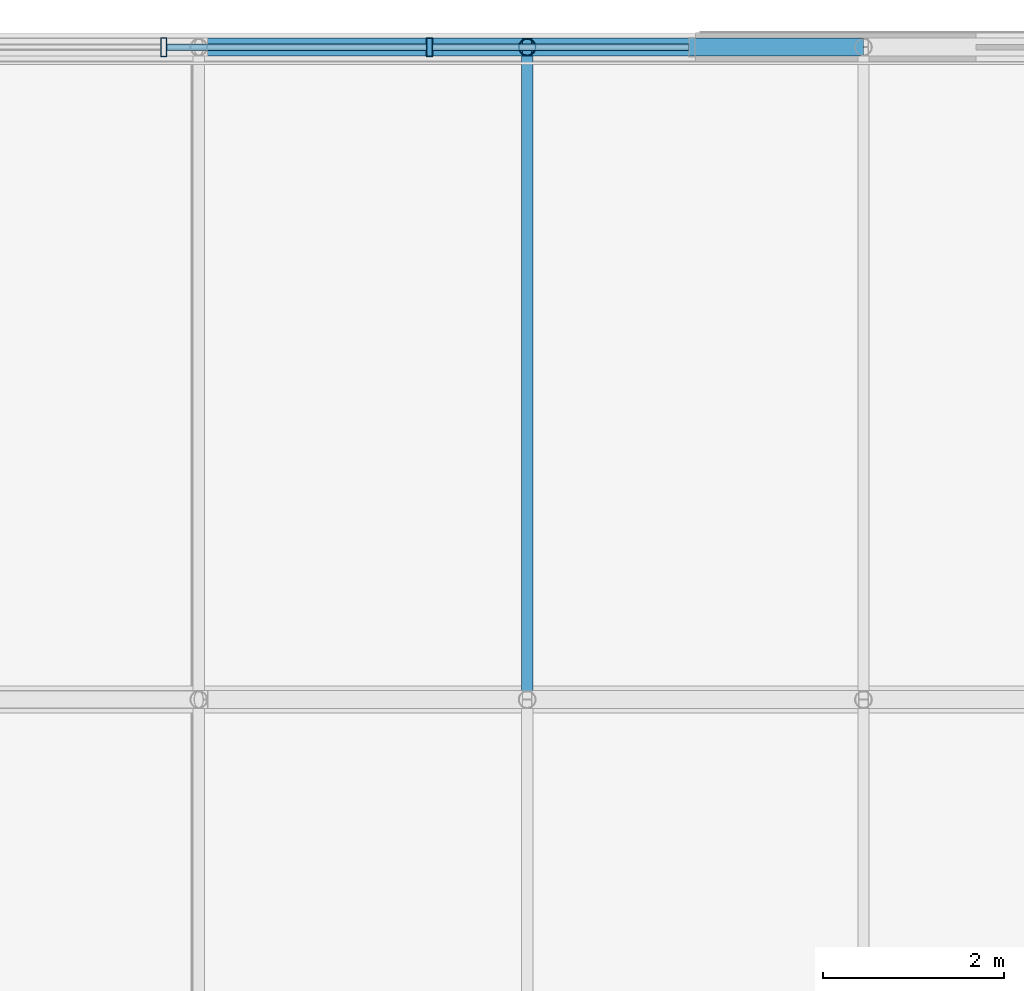
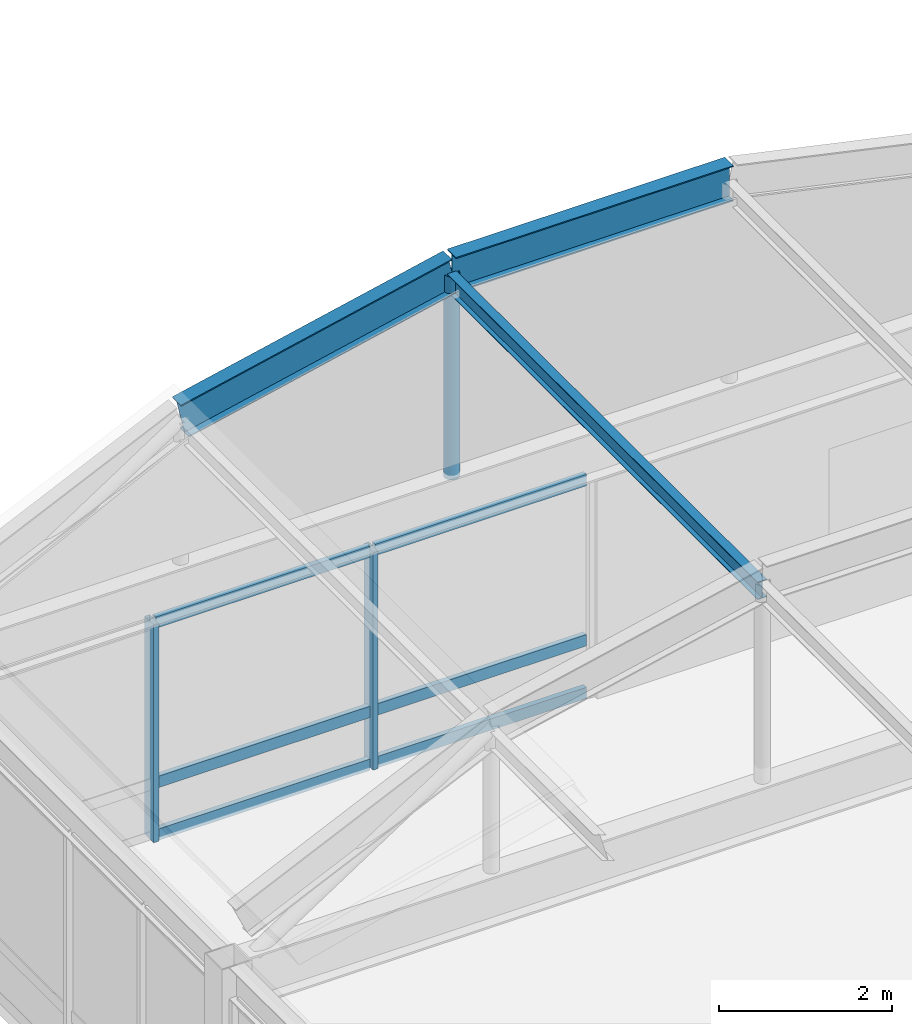
# One storey, part 59 of 106: 12 members, 1 element without a shape of its own.
"""IFC4 building model written with IfcOpenShell, lengths in metres."""

from ifc_helpers import new_model, si_unit, direction, frame, origin, origin_2d, place, context, subcontext, project, spatial, hollow_rectangle, hollow_circle, i_section, extrude, material, material_profile, profile_set, type_object, element, aggregate, save


model = new_model("IFC4")

# Units and contexts
model_context = context("Model", 3, precision=1e-05, world=origin(), true_north=direction((0.0, 1.0)))
body_context = subcontext(model_context, "Body", "Model", "MODEL_VIEW")
ifc_project = project(units=[si_unit("LENGTHUNIT", "METRE"), si_unit("AREAUNIT", "SQUARE_METRE"), si_unit("VOLUMEUNIT", "CUBIC_METRE"), si_unit("PLANEANGLEUNIT", "RADIAN"), si_unit("MASSUNIT", "GRAM", prefix="KILO")], contexts=[model_context])

# Site, building, storey
site_placement = place(None, origin())
site = spatial("IfcSite", under=ifc_project, at=site_placement, CompositionType="ELEMENT")
building_placement = place(site_placement, origin())
building = spatial("IfcBuilding", under=site, at=building_placement, Name="Kazanami Central Library", CompositionType="ELEMENT")
storey_placement = place(building_placement, frame((0.0, 0.0, 12.800048828125)))
storey = spatial("IfcBuildingStorey", under=building, at=storey_placement, Name="L04", CompositionType="ELEMENT", Elevation=12.800048828125)

# Members
ifc_material_1 = material(Name="Steel SN490B (325 MPa)", Category="steel")
ifc_material_profile_1 = material_profile(ifc_material_1, i_section(OverallWidth=0.199951171875, OverallDepth=0.5, WebThickness=0.010009765625, FlangeThickness=0.01611328125, at=origin_2d()), Name="H-500x200x10x16")
ifc_profile_set_1 = profile_set([ifc_material_profile_1], Name="Steel SN490B (325 MPa)")
member_type_1 = type_object("IfcMemberType", Name="MEM-AR-02", PredefinedType="CHORD", material=ifc_profile_set_1)
for number, where, z_axis, x_axis, name in (
    (1, (48.519775390625, 93.60009765625, 5.80908203125), (0.976745687277, 0.0, 0.214401171606), (0.0, 1.0, 0.0), "Barrel Vault Arch Rib AR-02 VAULT-WEST Grid O Seg 2"),
    (2, (52.14453125, 93.60009765625, 6.604736328125), (1.0, 0.0, 0.0), (0.0, 1.0, 0.0), "Barrel Vault Arch Rib AR-02 VAULT-WEST Grid O Seg 3"),
):
    element("IfcMember", number, at=place(storey_placement, frame(where, z_axis=z_axis, x_axis=x_axis)), inside=storey, type_object=member_type_1, Name=name, PredefinedType="CHORD", context=body_context, shape_type="SweptSolid", body=[
        extrude(i_section(OverallWidth=0.199951171875, OverallDepth=0.5, WebThickness=0.010009765625, FlangeThickness=0.01611328125, at=origin_2d()), origin(), (0.0, 0.0, 1.0), 3.7109375),
    ])

# Curtain wall, members
ifc_material_2 = material(Name="Acid-Etched Low-E Laminated Glass", Category="glass")
curtain_wall_type = type_object("IfcCurtainWallType", Name="CW-8800x3080-M275", PredefinedType="USERDEFINED", material=ifc_material_2)
curtain_wall_placement = place(storey_placement, origin())
curtain_wall = element("IfcCurtainWall", 3, at=curtain_wall_placement, inside=storey, type_object=curtain_wall_type, Name="Unitised Curtain Wall CW-42 L04 N-O-05", ObjectType="UNITISED CURTAIN WALL", PredefinedType="USERDEFINED")
ifc_material_3 = material(Name="Anodised Aluminium A6063-T5", Category="aluminium")
ifc_material_profile_2 = material_profile(ifc_material_3, hollow_rectangle(XDim=0.070068359375, YDim=0.2099609375, WallThickness=0.0048828125, at=origin_2d()), Name="ALU-MULL-70x210x5")
ifc_profile_set_2 = profile_set([ifc_material_profile_2], Name="Anodised Aluminium A6063-T5")
member_type_2 = type_object("IfcMemberType", Name="MEM-CW-M1", PredefinedType="MULLION", material=ifc_profile_set_2)
member_1_placement = place(storey_placement, frame((51.066650390625, 93.60009765625, 0.0), z_axis=(0.0, 0.0, 1.0), x_axis=(-1.0, 0.0, 0.0)))
member_1 = element("IfcMember", 4, at=member_1_placement, type_object=member_type_2, Name="CW-42 mullion 2", PredefinedType="MULLION", context=body_context, shape_type="SweptSolid", body=[
    extrude(hollow_rectangle(XDim=0.070068359375, YDim=0.2099609375, WallThickness=0.0048828125, at=origin_2d()), origin(), (0.0, 0.0, 1.0), 3.079833984375),
])
member_2_placement = place(storey_placement, frame((48.13330078125, 93.60009765625, 0.0), z_axis=(0.0, 0.0, 1.0), x_axis=(-1.0, 0.0, 0.0)))
member_2 = element("IfcMember", 5, at=member_2_placement, type_object=member_type_2, Name="CW-42 mullion 3", PredefinedType="MULLION", context=body_context, shape_type="SweptSolid", body=[
    extrude(hollow_rectangle(XDim=0.070068359375, YDim=0.2099609375, WallThickness=0.0048828125, at=origin_2d()), origin(), (0.0, 0.0, 1.0), 3.079833984375),
])
ifc_material_profile_3 = material_profile(ifc_material_3, hollow_rectangle(XDim=0.070068359375, YDim=0.159912109375, WallThickness=0.00390625, at=origin_2d()), Name="ALU-TRAN-70x160x4")
ifc_profile_set_3 = profile_set([ifc_material_profile_3], Name="Anodised Aluminium A6063-T5")
member_type_3 = type_object("IfcMemberType", Name="MEM-CW-T1", PredefinedType="USERDEFINED", material=ifc_profile_set_3)
member_3_placement = place(storey_placement, frame((53.929931640625, 93.60009765625, 0.034912109375), z_axis=(-1.0, 0.0, 0.0), x_axis=(0.0, -1.0, 0.0)))
member_3 = element("IfcMember", 6, at=member_3_placement, type_object=member_type_3, Name="CW-42 transom 1.1", ObjectType="TRANSOM", PredefinedType="USERDEFINED", context=body_context, shape_type="SweptSolid", body=[
    extrude(hollow_rectangle(XDim=0.070068359375, YDim=0.159912109375, WallThickness=0.00390625, at=origin_2d()), origin(), (0.0, 0.0, 1.0), 2.828369140625),
])
member_4_placement = place(storey_placement, frame((53.929931640625, 93.60009765625, 0.780029296875), z_axis=(-1.0, 0.0, 0.0), x_axis=(0.0, -1.0, 0.0)))
member_4 = element("IfcMember", 7, at=member_4_placement, type_object=member_type_3, Name="CW-42 transom 1.2", ObjectType="TRANSOM", PredefinedType="USERDEFINED", context=body_context, shape_type="SweptSolid", body=[
    extrude(hollow_rectangle(XDim=0.070068359375, YDim=0.159912109375, WallThickness=0.00390625, at=origin_2d()), origin(), (0.0, 0.0, 1.0), 2.828369140625),
])
member_5_placement = place(storey_placement, frame((53.929931640625, 93.60009765625, 3.044921875), z_axis=(-1.0, 0.0, 0.0), x_axis=(0.0, -1.0, 0.0)))
member_5 = element("IfcMember", 8, at=member_5_placement, type_object=member_type_3, Name="CW-42 transom 1.3", ObjectType="TRANSOM", PredefinedType="USERDEFINED", context=body_context, shape_type="SweptSolid", body=[
    extrude(hollow_rectangle(XDim=0.070068359375, YDim=0.159912109375, WallThickness=0.00390625, at=origin_2d()), origin(), (0.0, 0.0, 1.0), 2.828369140625),
])
member_6_placement = place(storey_placement, frame((51.03173828125, 93.60009765625, 0.034912109375), z_axis=(-1.0, 0.0, 0.0), x_axis=(0.0, -1.0, 0.0)))
member_6 = element("IfcMember", 9, at=member_6_placement, type_object=member_type_3, Name="CW-42 transom 2.1", ObjectType="TRANSOM", PredefinedType="USERDEFINED", context=body_context, shape_type="SweptSolid", body=[
    extrude(hollow_rectangle(XDim=0.070068359375, YDim=0.159912109375, WallThickness=0.00390625, at=origin_2d()), origin(), (0.0, 0.0, 1.0), 2.863525390625),
])
member_7_placement = place(storey_placement, frame((51.03173828125, 93.60009765625, 0.780029296875), z_axis=(-1.0, 0.0, 0.0), x_axis=(0.0, -1.0, 0.0)))
member_7 = element("IfcMember", 10, at=member_7_placement, type_object=member_type_3, Name="CW-42 transom 2.2", ObjectType="TRANSOM", PredefinedType="USERDEFINED", context=body_context, shape_type="SweptSolid", body=[
    extrude(hollow_rectangle(XDim=0.070068359375, YDim=0.159912109375, WallThickness=0.00390625, at=origin_2d()), origin(), (0.0, 0.0, 1.0), 2.863525390625),
])
member_8_placement = place(storey_placement, frame((51.03173828125, 93.60009765625, 3.044921875), z_axis=(-1.0, 0.0, 0.0), x_axis=(0.0, -1.0, 0.0)))
member_8 = element("IfcMember", 11, at=member_8_placement, type_object=member_type_3, Name="CW-42 transom 2.3", ObjectType="TRANSOM", PredefinedType="USERDEFINED", context=body_context, shape_type="SweptSolid", body=[
    extrude(hollow_rectangle(XDim=0.070068359375, YDim=0.159912109375, WallThickness=0.00390625, at=origin_2d()), origin(), (0.0, 0.0, 1.0), 2.863525390625),
])
aggregate(curtain_wall, [member_1, member_2, member_3, member_4, member_5, member_6, member_7, member_8])

# Members
ifc_material_4 = material(Name="Steel SN400B (235 MPa)", Category="steel")
ifc_material_profile_4 = material_profile(ifc_material_4, i_section(OverallWidth=0.125, OverallDepth=0.25, WebThickness=0.006103515625, FlangeThickness=0.009033203125, at=origin_2d()), Name="H-250x125x6x9")
ifc_profile_set_4 = profile_set([ifc_material_profile_4], Name="Steel SN400B (235 MPa)")
member_type_4 = type_object("IfcMemberType", Name="MEM-PUR-250", PredefinedType="PURLIN", material=ifc_profile_set_4)
member_9_placement = place(storey_placement, frame((52.14453125, 86.405029296875, 6.464599609375), z_axis=(0.0, 1.0, 0.0), x_axis=(-1.0, 0.0, 0.0)))
element("IfcMember", 12, at=member_9_placement, inside=storey, type_object=member_type_4, Name="Barrel Vault Longitudinal Purlin VAULT-WEST Knuckle 2.4", PredefinedType="PURLIN", context=body_context, shape_type="SweptSolid", body=[
    extrude(i_section(OverallWidth=0.125, OverallDepth=0.25, WebThickness=0.006103515625, FlangeThickness=0.009033203125, at=origin_2d()), origin(), (0.0, 0.0, 1.0), 7.18994140625),
])
ifc_material_5 = material(Name="Steel STK490 (315 MPa)", Category="steel")
ifc_material_profile_5 = material_profile(ifc_material_5, hollow_circle(Radius=0.095458984375, WallThickness=0.007080078125, at=origin_2d()), Name="CHS-190.7x7.0")
ifc_profile_set_5 = profile_set([ifc_material_profile_5], Name="Steel STK490 (315 MPa)")
member_type_5 = type_object("IfcMemberType", Name="MEM-VST-190", PredefinedType="STRUT", material=ifc_profile_set_5)
member_10_placement = place(storey_placement, frame((52.14453125, 93.60009765625, 3.71484375), z_axis=(0.0, 0.0, 1.0), x_axis=(1.0, 0.0, 0.0)))
element("IfcMember", 13, at=member_10_placement, inside=storey, type_object=member_type_5, Name="Barrel Vault Tied-Arch Web Strut VAULT-WEST Grid O Knuckle 2", PredefinedType="STRUT", context=body_context, shape_type="SweptSolid", body=[
    extrude(hollow_circle(Radius=0.095458984375, WallThickness=0.007080078125, at=origin_2d()), origin(), (0.0, 0.0, 1.0), 2.869873046875),
])

save(model, "model.ifc")
